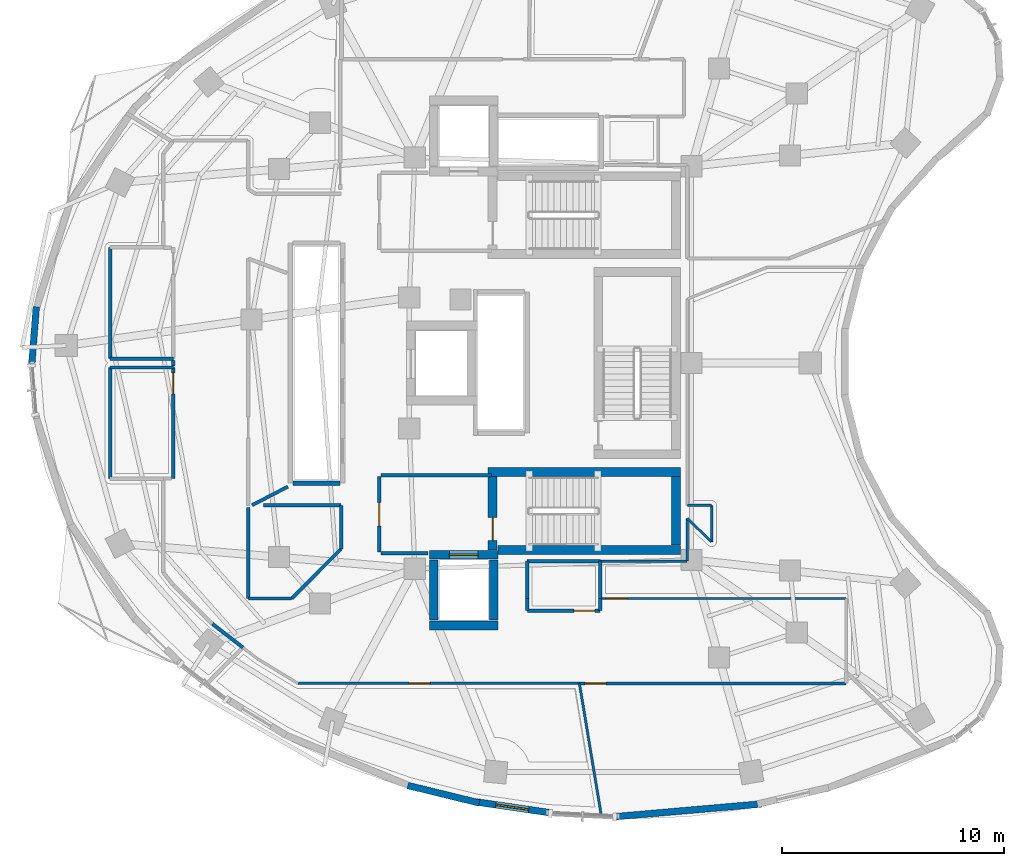
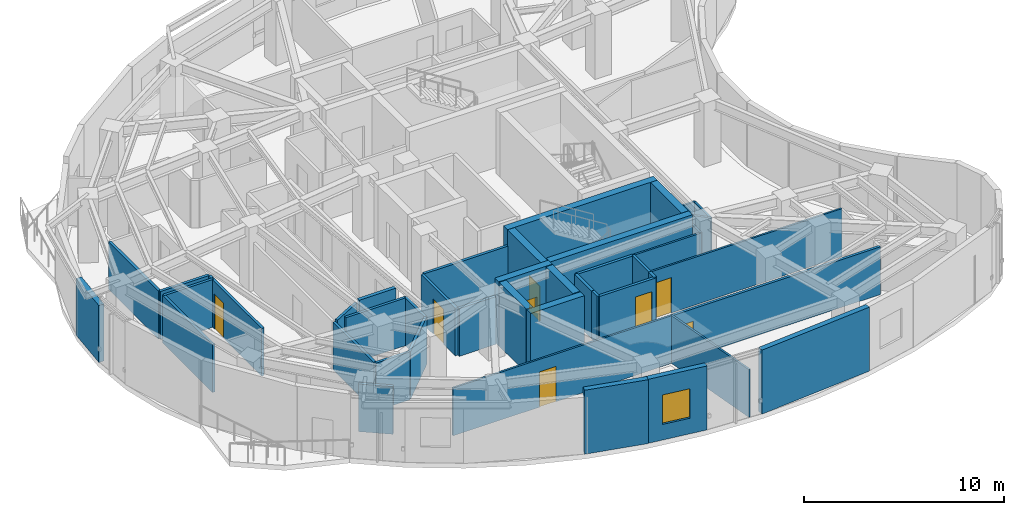
# One storey, part 7 of 13: 44 walls, 8 doors, 1 window, 9 openings.
"""IFC4 building model written with IfcOpenShell, lengths in metres."""

from ifc_helpers import new_model, si_unit, direction, frame, frame_2d, origin, place, context, subcontext, project, spatial, rectangle, extrude, material, layer, layer_set, type_object, element, fill, save


model = new_model("IFC4")

# Units and contexts
model_context = context("Model", 3, precision=1e-05, world=origin(), true_north=direction((0.0, 1.0)))
body_context = subcontext(model_context, "Body", "Model", "MODEL_VIEW")
ifc_project = project(units=[si_unit("LENGTHUNIT", "METRE"), si_unit("AREAUNIT", "SQUARE_METRE"), si_unit("VOLUMEUNIT", "CUBIC_METRE"), si_unit("PLANEANGLEUNIT", "RADIAN"), si_unit("MASSUNIT", "GRAM", prefix="KILO")], contexts=[model_context])

# Site, building, storey
site_placement = place(None, origin())
site = spatial("IfcSite", under=ifc_project, at=site_placement, CompositionType="ELEMENT")
building_placement = place(site_placement, origin())
building = spatial("IfcBuilding", under=site, at=building_placement, Name="Korentha Bioscience Tower", CompositionType="ELEMENT")
storey_placement = place(building_placement, frame((0.0, 0.0, 183.60009765625)))
storey = spatial("IfcBuildingStorey", under=building, at=storey_placement, Name="L42", CompositionType="ELEMENT", Elevation=183.60009765625)

# Wall, opening, door
ifc_material_1 = material(Name="Double-Stud Acoustic Gypsum", Category="gypsum")
ifc_layer_1 = layer(ifc_material_1, 0.14990234375, Name="Double-Stud Acoustic Gypsum")
ifc_layer_set_1 = layer_set([ifc_layer_1], Name="Double-Stud Acoustic Gypsum (IW-L150)")
wall_type_1 = type_object("IfcWallType", Name="Acoustic Laboratory Partition Wall 150", PredefinedType="PARTITIONING", material=ifc_layer_set_1)
wall_1_placement = place(storey_placement, frame((14.239990234375, 26.800048828125, 0.0), z_axis=(0.0, 0.0, 1.0), x_axis=(0.0, -1.0, 0.0)))
wall_1 = element("IfcWall", 1, at=wall_1_placement, inside=storey, type_object=wall_type_1, Name="L42 Reclaimed Bank-1 Cold Freezer Alcove Entrance Wall", PredefinedType="PARTITIONING", context=body_context, shape_type="SweptSolid", body=[
    extrude(rectangle(XDim=4.989990234375, YDim=0.14990234375, at=frame_2d((2.4951171875, 0.0))), origin(), (0.0, 0.0, 1.0), 2.909912109375),
])
opening_1_placement = place(wall_1_placement, frame((0.239990234375, 0.0, 0.0)))
opening_1 = element("IfcOpeningElement", 2, at=opening_1_placement, cuts=wall_1, Name="Opening ID-10L", PredefinedType="OPENING", context=body_context, shape_type="SweptSolid", body=[
    extrude(rectangle(XDim=0.949951171875, YDim=2.14990234375, at=frame_2d((0.47509765625, 1.074951171875))), frame((0.0, 0.08984375, 0.0), z_axis=(0.0, -1.0, 0.0), x_axis=(1.0, 0.0, 0.0)), (0.0, 0.0, 1.0), 0.1796875),
])
ifc_material_2 = material(Name="Phenolic Laminate Timber Core", Category="wood")
door_type_1 = type_object("IfcDoorType", Name="Laboratory Single Leaf Door 950x2150 Left", OperationType="SINGLE_SWING_LEFT", PredefinedType="DOOR", material=ifc_material_2)
door_1_placement = place(opening_1_placement, origin())
door_1 = element("IfcDoor", 3, at=door_1_placement, inside=storey, type_object=door_type_1, Name="L42 Reclaimed Bank-1 Cold Freezer Alcove Door", OperationType="SINGLE_SWING_LEFT", OverallHeight=2.14990234375, OverallWidth=0.949951171875, PredefinedType="DOOR", context=body_context, shape_type="SweptSolid", body=[
    extrude(rectangle(XDim=0.949951171875, YDim=2.14990234375, at=frame_2d((0.47509765625, 1.074951171875))), frame((0.0, 0.02490234375, 0.0), z_axis=(0.0, -1.0, 0.0), x_axis=(1.0, 0.0, 0.0)), (0.0, 0.0, 1.0), 0.050048828125),
])
fill(opening_1, door_1)

wall_2_placement = place(storey_placement, frame((32.51416015625, 12.590087890625, 0.0), z_axis=(0.0, 0.0, 1.0), x_axis=(1.0, 0.0, 0.0)))
wall_2 = element("IfcWall", 4, at=wall_2_placement, inside=storey, type_object=wall_type_1, Name="L42 Research Colloquium Seminar Room 04 Entrance Wall", PredefinedType="PARTITIONING", context=body_context, shape_type="SweptSolid", body=[
    extrude(rectangle(XDim=11.98583984375, YDim=0.14990234375, at=frame_2d((5.992919921875, 0.0))), origin(), (0.0, 0.0, 1.0), 2.909912109375),
])
opening_2_placement = place(wall_2_placement, frame((0.239990234375, 0.0, 0.0)))
opening_2 = element("IfcOpeningElement", 5, at=opening_2_placement, cuts=wall_2, Name="Opening ID-10R", PredefinedType="OPENING", context=body_context, shape_type="SweptSolid", body=[
    extrude(rectangle(XDim=0.949951171875, YDim=2.14990234375, at=frame_2d((0.47509765625, 1.074951171875))), frame((0.0, 0.08984375, 0.0), z_axis=(0.0, -1.0, 0.0), x_axis=(1.0, 0.0, 0.0)), (0.0, 0.0, 1.0), 0.1796875),
])
door_type_2 = type_object("IfcDoorType", Name="Laboratory Single Leaf Door 950x2150 Right", OperationType="SINGLE_SWING_RIGHT", PredefinedType="DOOR", material=ifc_material_2)
door_2_placement = place(opening_2_placement, origin())
door_2 = element("IfcDoor", 6, at=door_2_placement, inside=storey, type_object=door_type_2, Name="L42 Research Colloquium Seminar Room 04 Door", OperationType="SINGLE_SWING_RIGHT", OverallHeight=2.14990234375, OverallWidth=0.949951171875, PredefinedType="DOOR", context=body_context, shape_type="SweptSolid", body=[
    extrude(rectangle(XDim=0.949951171875, YDim=2.14990234375, at=frame_2d((0.47509765625, 1.074951171875))), frame((0.0, 0.02490234375, 0.0), z_axis=(0.0, -1.0, 0.0), x_axis=(1.0, 0.0, 0.0)), (0.0, 0.0, 1.0), 0.050048828125),
])
fill(opening_2, door_2)

# Walls
wall_3_placement = place(storey_placement, frame((11.39990234375, 21.800048828125, 0.0), z_axis=(0.0, 0.0, 1.0), x_axis=(0.0, 1.0, 0.0)))
element("IfcWall", 7, at=wall_3_placement, inside=storey, type_object=wall_type_1, Name="L42 Interior Partition 023", PredefinedType="PARTITIONING", context=body_context, shape_type="SweptSolid", body=[
    extrude(rectangle(XDim=5.0, YDim=0.14990234375, at=frame_2d((2.5, 0.0))), origin(), (0.0, 0.0, 1.0), 2.909912109375),
])
wall_4_placement = place(storey_placement, frame((11.39990234375, 26.800048828125, 0.0), z_axis=(0.0, 0.0, 1.0), x_axis=(1.0, 0.0, 0.0)))
element("IfcWall", 8, at=wall_4_placement, inside=storey, type_object=wall_type_1, Name="L42 Interior Partition 024", PredefinedType="PARTITIONING", context=body_context, shape_type="SweptSolid", body=[
    extrude(rectangle(XDim=2.840087890625, YDim=0.14990234375, at=frame_2d((1.419921875, 0.0))), origin(), (0.0, 0.0, 1.0), 2.909912109375),
])
wall_5_placement = place(storey_placement, frame((19.3896484375, 21.43994140625, 0.0), z_axis=(0.0, 0.0, 1.0), x_axis=(-0.887870664605, -0.460093124197, 0.0)))
element("IfcWall", 9, at=wall_5_placement, inside=storey, type_object=wall_type_1, Name="L42 Interior Partition 038", PredefinedType="PARTITIONING", context=body_context, shape_type="SweptSolid", body=[
    extrude(rectangle(XDim=1.813232421875, YDim=0.14990234375, at=frame_2d((0.90673828125, 0.0))), origin(), (0.0, 0.0, 1.0), 2.909912109375),
])
wall_6_placement = place(storey_placement, frame((18.286865234375, 20.597900390625, 0.0), z_axis=(0.0, 0.0, 1.0), x_axis=(1.0, 0.0, 0.0)))
element("IfcWall", 10, at=wall_6_placement, inside=storey, type_object=wall_type_1, Name="L42 Interior Partition 039", PredefinedType="PARTITIONING", context=body_context, shape_type="SweptSolid", body=[
    extrude(rectangle(XDim=3.503173828125, YDim=0.14990234375, at=frame_2d((1.75146484375, 0.0))), origin(), (0.0, 0.0, 1.0), 2.909912109375),
])
wall_7_placement = place(storey_placement, frame((21.7900390625, 20.597900390625, 0.0), z_axis=(0.0, 0.0, 1.0), x_axis=(0.0, -1.0, 0.0)))
element("IfcWall", 11, at=wall_7_placement, inside=storey, type_object=wall_type_1, Name="L42 Interior Partition 040", PredefinedType="PARTITIONING", context=body_context, shape_type="SweptSolid", body=[
    extrude(rectangle(XDim=1.95458984375, YDim=0.14990234375, at=frame_2d((0.977294921875, 0.0))), origin(), (0.0, 0.0, 1.0), 2.909912109375),
])
wall_8_placement = place(storey_placement, frame((21.7900390625, 18.643310546875, 0.0), z_axis=(0.0, 0.0, 1.0), x_axis=(-0.705866789687, -0.708344602024, 0.0)))
element("IfcWall", 12, at=wall_8_placement, inside=storey, type_object=wall_type_1, Name="L42 Interior Partition 041", PredefinedType="PARTITIONING", context=body_context, shape_type="SweptSolid", body=[
    extrude(rectangle(XDim=3.153076171875, YDim=0.14990234375, at=frame_2d((1.57666015625, 0.0))), origin(), (0.0, 0.0, 1.0), 2.909912109375),
])
wall_9_placement = place(storey_placement, frame((19.564453125, 16.409912109375, 0.0), z_axis=(0.0, 0.0, 1.0), x_axis=(-1.0, 0.0, 0.0)))
element("IfcWall", 13, at=wall_9_placement, inside=storey, type_object=wall_type_1, Name="L42 Interior Partition 042", PredefinedType="PARTITIONING", context=body_context, shape_type="SweptSolid", body=[
    extrude(rectangle(XDim=1.954345703125, YDim=0.14990234375, at=frame_2d((0.97705078125, 0.0))), origin(), (0.0, 0.0, 1.0), 2.909912109375),
])
wall_10_placement = place(storey_placement, frame((17.610107421875, 16.409912109375, 0.0), z_axis=(0.0, 0.0, 1.0), x_axis=(0.0, 1.0, 0.0)))
element("IfcWall", 14, at=wall_10_placement, inside=storey, type_object=wall_type_1, Name="L42 Interior Partition 043", PredefinedType="PARTITIONING", context=body_context, shape_type="SweptSolid", body=[
    extrude(rectangle(XDim=4.10302734375, YDim=0.14990234375, at=frame_2d((2.051513671875, 0.0))), origin(), (0.0, 0.0, 1.0), 2.909912109375),
])

# Wall, opening, door
ifc_material_3 = material(Name="Fire-Rated Framed Glass", Category="glass")
ifc_layer_2 = layer(ifc_material_3, 0.110107421875, Name="Fire-Rated Framed Glass")
ifc_layer_set_2 = layer_set([ifc_layer_2], Name="Fire-Rated Framed Glass (IW-G110)")
wall_type_2 = type_object("IfcWallType", Name="Demountable Glazed Office Partition 110", PredefinedType="MOVABLE", material=ifc_layer_set_2)
wall_11_placement = place(storey_placement, frame((19.849853515625, 12.590087890625, 0.0), z_axis=(0.0, 0.0, 1.0), x_axis=(1.0, 0.0, 0.0)))
wall_11 = element("IfcWall", 15, at=wall_11_placement, inside=storey, type_object=wall_type_2, Name="L42 Principal Investigator Office 03 Entrance Wall", PredefinedType="MOVABLE", context=body_context, shape_type="SweptSolid", body=[
    extrude(rectangle(XDim=12.654052734375, YDim=0.110107421875, at=frame_2d((6.3271484375, 0.0))), origin(), (0.0, 0.0, 1.0), 2.909912109375),
])
opening_3_placement = place(wall_11_placement, frame((4.994140625, 0.0, 0.0)))
opening_3 = element("IfcOpeningElement", 16, at=opening_3_placement, cuts=wall_11, Name="Opening ID-10L", PredefinedType="OPENING", context=body_context, shape_type="SweptSolid", body=[
    extrude(rectangle(XDim=0.949951171875, YDim=2.14990234375, at=frame_2d((0.47509765625, 1.074951171875))), frame((0.0, 0.06982421875, 0.0), z_axis=(0.0, -1.0, 0.0), x_axis=(1.0, 0.0, 0.0)), (0.0, 0.0, 1.0), 0.139892578125),
])
door_3_placement = place(opening_3_placement, origin())
door_3 = element("IfcDoor", 17, at=door_3_placement, inside=storey, type_object=door_type_1, Name="L42 Principal Investigator Office 03 Door", OperationType="SINGLE_SWING_LEFT", OverallHeight=2.14990234375, OverallWidth=0.949951171875, PredefinedType="DOOR", context=body_context, shape_type="SweptSolid", body=[
    extrude(rectangle(XDim=0.949951171875, YDim=2.14990234375, at=frame_2d((0.47509765625, 1.074951171875))), frame((0.0, 0.02490234375, 0.0), z_axis=(0.0, -1.0, 0.0), x_axis=(1.0, 0.0, 0.0)), (0.0, 0.0, 1.0), 0.050048828125),
])
fill(opening_3, door_3)

wall_12_placement = place(storey_placement, frame((44.5, 16.409912109375, 0.0), z_axis=(0.0, 0.0, 1.0), x_axis=(-1.0, 0.0, 0.0)))
wall_12 = element("IfcWall", 18, at=wall_12_placement, inside=storey, type_object=wall_type_2, Name="L42 Postdoctoral Fellows' Quiet Study 05 Entrance Wall", PredefinedType="MOVABLE", context=body_context, shape_type="SweptSolid", body=[
    extrude(rectangle(XDim=11.0400390625, YDim=0.110107421875, at=frame_2d((5.52001953125, 0.0))), origin(), (0.0, 0.0, 1.0), 2.909912109375),
])
opening_4_placement = place(wall_12_placement, frame((9.85009765625, 0.0, 0.0)))
opening_4 = element("IfcOpeningElement", 19, at=opening_4_placement, cuts=wall_12, Name="Opening ID-10L", PredefinedType="OPENING", context=body_context, shape_type="SweptSolid", body=[
    extrude(rectangle(XDim=0.949951171875, YDim=2.14990234375, at=frame_2d((0.47509765625, 1.074951171875))), frame((0.0, 0.06982421875, 0.0), z_axis=(0.0, -1.0, 0.0), x_axis=(1.0, 0.0, 0.0)), (0.0, 0.0, 1.0), 0.139892578125),
])
door_4_placement = place(opening_4_placement, origin())
door_4 = element("IfcDoor", 20, at=door_4_placement, inside=storey, type_object=door_type_1, Name="L42 Postdoctoral Fellows' Quiet Study 05 Door", OperationType="SINGLE_SWING_LEFT", OverallHeight=2.14990234375, OverallWidth=0.949951171875, PredefinedType="DOOR", context=body_context, shape_type="SweptSolid", body=[
    extrude(rectangle(XDim=0.949951171875, YDim=2.14990234375, at=frame_2d((0.47509765625, 1.074951171875))), frame((0.0, 0.02490234375, 0.0), z_axis=(0.0, -1.0, 0.0), x_axis=(1.0, 0.0, 0.0)), (0.0, 0.0, 1.0), 0.050048828125),
])
fill(opening_4, door_4)

# Walls
wall_13_placement = place(storey_placement, frame((32.50390625, 12.590087890625, 0.0), z_axis=(0.0, 0.0, 1.0), x_axis=(0.163321963264, -0.986572823625, 0.0)))
element("IfcWall", 21, at=wall_13_placement, inside=storey, type_object=wall_type_2, Name="L42 Interior Partition 046", PredefinedType="MOVABLE", context=body_context, shape_type="SweptSolid", body=[
    extrude(rectangle(XDim=6.139404296875, YDim=0.110107421875, at=frame_2d((3.06982421875, 0.0))), origin(), (0.0, 0.0, 1.0), 2.909912109375),
])
wall_14_placement = place(storey_placement, frame((38.451904296875, 18.9609375, 0.0), z_axis=(0.0, 0.0, 1.0), x_axis=(0.0, 1.0, 0.0)))
element("IfcWall", 22, at=wall_14_placement, inside=storey, type_object=wall_type_2, Name="L42 Interior Partition 049", PredefinedType="MOVABLE", context=body_context, shape_type="SweptSolid", body=[
    extrude(rectangle(XDim=1.636962890625, YDim=0.110107421875, at=frame_2d((0.818359375, 0.0))), origin(), (0.0, 0.0, 1.0), 2.909912109375),
])
wall_15_placement = place(storey_placement, frame((38.44775390625, 20.60205078125, 0.0), z_axis=(0.0, 0.0, 1.0), x_axis=(-1.0, 0.0, 0.0)))
element("IfcWall", 23, at=wall_15_placement, inside=storey, type_object=wall_type_2, Name="L42 Interior Partition 050", PredefinedType="MOVABLE", context=body_context, shape_type="SweptSolid", body=[
    extrude(rectangle(XDim=1.087646484375, YDim=0.110107421875, at=frame_2d((0.5439453125, 0.0))), origin(), (0.0, 0.0, 1.0), 2.909912109375),
])
wall_16_placement = place(storey_placement, frame((33.4599609375, 18.090087890625, 0.0), z_axis=(0.0, 0.0, 1.0), x_axis=(1.0, 0.0, 0.0)))
element("IfcWall", 24, at=wall_16_placement, inside=storey, type_object=wall_type_2, Name="L42 Interior Partition 056", PredefinedType="MOVABLE", context=body_context, shape_type="SweptSolid", body=[
    extrude(rectangle(XDim=3.89013671875, YDim=0.110107421875, at=frame_2d((1.945068359375, 0.0))), origin(), (0.0, 0.0, 1.0), 2.909912109375),
])
wall_17_placement = place(storey_placement, frame((37.360107421875, 18.10009765625, 0.0), z_axis=(0.0, 0.0, 1.0), x_axis=(0.0, 1.0, 0.0)))
element("IfcWall", 25, at=wall_17_placement, inside=storey, type_object=wall_type_2, Name="L42 Interior Partition 057", PredefinedType="MOVABLE", context=body_context, shape_type="SweptSolid", body=[
    extrude(rectangle(XDim=1.906005859375, YDim=0.110107421875, at=frame_2d((0.953125, 0.0))), origin(), (0.0, 0.0, 1.0), 2.909912109375),
])
wall_18_placement = place(storey_placement, frame((37.360107421875, 20.006103515625, 0.0), z_axis=(0.0, 0.0, 1.0), x_axis=(0.719298285006, -0.694701358274, 0.0)))
element("IfcWall", 26, at=wall_18_placement, inside=storey, type_object=wall_type_2, Name="L42 Interior Partition 058", PredefinedType="MOVABLE", context=body_context, shape_type="SweptSolid", body=[
    extrude(rectangle(XDim=1.5087890625, YDim=0.110107421875, at=frame_2d((0.75439453125, 0.0))), origin(), (0.0, 0.0, 1.0), 2.909912109375),
])

# Wall, opening, door
ifc_material_4 = material(Name="Gypsum-Clad Steel Stud", Category="steel")
ifc_layer_3 = layer(ifc_material_4, 0.159912109375, Name="Gypsum-Clad Steel Stud")
ifc_layer_set_3 = layer_set([ifc_layer_3], Name="Gypsum-Clad Steel Stud (IW-C160)")
wall_type_3 = type_object("IfcWallType", Name="Fire-Rated Corridor Partition Wall 160", PredefinedType="PARTITIONING", material=ifc_layer_set_3)
wall_19_placement = place(storey_placement, frame((23.5, 18.5, 0.0), z_axis=(0.0, 0.0, 1.0), x_axis=(0.0, 1.0, 0.0)))
wall_19 = element("IfcWall", 27, at=wall_19_placement, inside=storey, type_object=wall_type_3, Name="L42 FFLS-CW Rated Enclosure Wall", PredefinedType="PARTITIONING", context=body_context, shape_type="SweptSolid", body=[
    extrude(rectangle(XDim=3.39990234375, YDim=0.159912109375, at=frame_2d((1.699951171875, 0.0))), origin(), (0.0, 0.0, 1.0), 2.909912109375),
])
opening_5_placement = place(wall_19_placement, frame((1.175048828125, 0.0, 0.0)))
opening_5 = element("IfcOpeningElement", 28, at=opening_5_placement, cuts=wall_19, Name="Opening FD-90L", PredefinedType="OPENING", context=body_context, shape_type="SweptSolid", body=[
    extrude(rectangle(XDim=1.050048828125, YDim=2.14990234375, at=frame_2d((0.52490234375, 1.074951171875))), frame((0.0, 0.0947265625, 0.0), z_axis=(0.0, -1.0, 0.0), x_axis=(1.0, 0.0, 0.0)), (0.0, 0.0, 1.0), 0.189697265625),
])
ifc_material_5 = material(Name="Powder-Coated Fire-Rated Steel", Category="steel")
door_type_3 = type_object("IfcDoorType", Name="Stairwell Fire Exit Door 1050x2150 Left", OperationType="SINGLE_SWING_LEFT", PredefinedType="DOOR", material=ifc_material_5)
door_5_placement = place(opening_5_placement, origin())
door_5 = element("IfcDoor", 29, at=door_5_placement, inside=storey, type_object=door_type_3, Name="L42 South Firefighting Lobby Door", OperationType="SINGLE_SWING_LEFT", OverallHeight=2.14990234375, OverallWidth=1.050048828125, PredefinedType="DOOR", context=body_context, shape_type="SweptSolid", body=[
    extrude(rectangle(XDim=1.050048828125, YDim=2.14990234375, at=frame_2d((0.52490234375, 1.074951171875))), frame((0.0, 0.02490234375, 0.0), z_axis=(0.0, -1.0, 0.0), x_axis=(1.0, 0.0, 0.0)), (0.0, 0.0, 1.0), 0.050048828125),
])
fill(opening_5, door_5)

# Walls
wall_20_placement = place(storey_placement, frame((23.580078125, 21.949951171875, 0.0), z_axis=(0.0, 0.0, 1.0), x_axis=(1.0, 0.0, 0.0)))
element("IfcWall", 30, at=wall_20_placement, inside=storey, type_object=wall_type_3, Name="L42 Firefighting Lobby Return Wall FFLS-N", PredefinedType="PARTITIONING", context=body_context, shape_type="SweptSolid", body=[
    extrude(rectangle(XDim=4.969970703125, YDim=0.159912109375, at=frame_2d((2.48486328125, 0.0))), origin(), (0.0, 0.0, 1.0), 2.909912109375),
])
wall_21_placement = place(storey_placement, frame((23.580078125, 18.449951171875, 0.0), z_axis=(0.0, 0.0, 1.0), x_axis=(1.0, 0.0, 0.0)))
element("IfcWall", 31, at=wall_21_placement, inside=storey, type_object=wall_type_3, Name="L42 Firefighting Lobby Return Wall FFLS-S", PredefinedType="PARTITIONING", context=body_context, shape_type="SweptSolid", body=[
    extrude(rectangle(XDim=2.119873046875, YDim=0.159912109375, at=frame_2d((1.06005859375, 0.0))), origin(), (0.0, 0.0, 1.0), 2.909912109375),
])

# Wall, opening, door
wall_22_placement = place(storey_placement, frame((33.43994140625, 15.860107421875, 0.0), z_axis=(0.0, 0.0, 1.0), x_axis=(-1.0, 0.0, 0.0)))
wall_22 = element("IfcWall", 32, at=wall_22_placement, inside=storey, type_object=wall_type_3, Name="L42 Core Instrumentation and Gas Store Entrance Wall", PredefinedType="PARTITIONING", context=body_context, shape_type="SweptSolid", body=[
    extrude(rectangle(XDim=3.280029296875, YDim=0.159912109375, at=frame_2d((1.64013671875, 0.0))), origin(), (0.0, 0.0, 1.0), 2.909912109375),
])
opening_6_placement = place(wall_22_placement, frame((0.239990234375, 0.0, 0.0)))
opening_6 = element("IfcOpeningElement", 33, at=opening_6_placement, cuts=wall_22, Name="Opening ID-10L", PredefinedType="OPENING", context=body_context, shape_type="SweptSolid", body=[
    extrude(rectangle(XDim=0.949951171875, YDim=2.14990234375, at=frame_2d((0.47509765625, 1.074951171875))), frame((0.0, 0.0947265625, 0.0), z_axis=(0.0, -1.0, 0.0), x_axis=(1.0, 0.0, 0.0)), (0.0, 0.0, 1.0), 0.189697265625),
])
door_6_placement = place(opening_6_placement, origin())
door_6 = element("IfcDoor", 34, at=door_6_placement, inside=storey, type_object=door_type_1, Name="L42 Core Instrumentation and Gas Store Door", OperationType="SINGLE_SWING_LEFT", OverallHeight=2.14990234375, OverallWidth=0.949951171875, PredefinedType="DOOR", context=body_context, shape_type="SweptSolid", body=[
    extrude(rectangle(XDim=0.949951171875, YDim=2.14990234375, at=frame_2d((0.47509765625, 1.074951171875))), frame((0.0, 0.02490234375, 0.0), z_axis=(0.0, -1.0, 0.0), x_axis=(1.0, 0.0, 0.0)), (0.0, 0.0, 1.0), 0.050048828125),
])
fill(opening_6, door_6)

# Walls
for number, where, z_axis, x_axis, name in (
    (35, (33.43994140625, 16.39990234375, 0.0), (0.0, 0.0, 1.0), (0.0, -1.0, 0.0), "L42 Interior Partition 014"),
    (36, (30.159912109375, 15.860107421875, 0.0), (0.0, 0.0, 1.0), (0.0, 1.0, 0.0), "L42 Interior Partition 015"),
):
    element("IfcWall", number, at=place(storey_placement, frame(where, z_axis=z_axis, x_axis=x_axis)), inside=storey, type_object=wall_type_3, Name=name, PredefinedType="PARTITIONING", context=body_context, shape_type="SweptSolid", body=[
        extrude(rectangle(XDim=0.539794921875, YDim=0.159912109375, at=frame_2d((0.27001953125, 0.0))), origin(), (0.0, 0.0, 1.0), 2.909912109375),
    ])
wall_23_placement = place(storey_placement, frame((30.14990234375, 16.409912109375, 0.0), z_axis=(0.0, 0.0, 1.0), x_axis=(0.0, 1.0, 0.0)))
element("IfcWall", 37, at=wall_23_placement, inside=storey, type_object=wall_type_3, Name="L42 Interior Partition 016", PredefinedType="PARTITIONING", context=body_context, shape_type="SweptSolid", body=[
    extrude(rectangle(XDim=1.68017578125, YDim=0.159912109375, at=frame_2d((0.840087890625, 0.0))), origin(), (0.0, 0.0, 1.0), 2.909912109375),
])
wall_24_placement = place(storey_placement, frame((30.14990234375, 18.090087890625, 0.0), z_axis=(0.0, 0.0, 1.0), x_axis=(1.0, 0.0, 0.0)))
element("IfcWall", 38, at=wall_24_placement, inside=storey, type_object=wall_type_3, Name="L42 Interior Partition 017", PredefinedType="PARTITIONING", context=body_context, shape_type="SweptSolid", body=[
    extrude(rectangle(XDim=3.300048828125, YDim=0.159912109375, at=frame_2d((1.64990234375, 0.0))), origin(), (0.0, 0.0, 1.0), 2.909912109375),
])
wall_25_placement = place(storey_placement, frame((33.449951171875, 18.090087890625, 0.0), z_axis=(0.0, 0.0, 1.0), x_axis=(0.0, -1.0, 0.0)))
element("IfcWall", 39, at=wall_25_placement, inside=storey, type_object=wall_type_3, Name="L42 Interior Partition 018", PredefinedType="PARTITIONING", context=body_context, shape_type="SweptSolid", body=[
    extrude(rectangle(XDim=1.68017578125, YDim=0.159912109375, at=frame_2d((0.840087890625, 0.0))), origin(), (0.0, 0.0, 1.0), 2.909912109375),
])
wall_26_placement = place(storey_placement, frame((14.239990234375, 27.199951171875, 0.0), z_axis=(0.0, 0.0, 1.0), x_axis=(-1.0, 0.0, 0.0)))
element("IfcWall", 40, at=wall_26_placement, inside=storey, type_object=wall_type_3, Name="L42 Interior Partition 026", PredefinedType="PARTITIONING", context=body_context, shape_type="SweptSolid", body=[
    extrude(rectangle(XDim=2.840087890625, YDim=0.159912109375, at=frame_2d((1.419921875, 0.0))), origin(), (0.0, 0.0, 1.0), 2.909912109375),
])
wall_27_placement = place(storey_placement, frame((11.39990234375, 27.199951171875, 0.0), z_axis=(0.0, 0.0, 1.0), x_axis=(0.0, 1.0, 0.0)))
element("IfcWall", 41, at=wall_27_placement, inside=storey, type_object=wall_type_3, Name="L42 Interior Partition 027", PredefinedType="PARTITIONING", context=body_context, shape_type="SweptSolid", body=[
    extrude(rectangle(XDim=5.0, YDim=0.159912109375, at=frame_2d((2.5, 0.0))), origin(), (0.0, 0.0, 1.0), 2.909912109375),
])
wall_28_placement = place(storey_placement, frame((14.239990234375, 27.116943359375, 0.0), z_axis=(0.0, 0.0, 1.0), x_axis=(0.0, -1.0, 0.0)))
element("IfcWall", 42, at=wall_28_placement, inside=storey, type_object=wall_type_3, Name="L42 Interior Partition 031", PredefinedType="PARTITIONING", context=body_context, shape_type="SweptSolid", body=[
    extrude(rectangle(XDim=0.239013671875, YDim=0.159912109375, at=frame_2d((0.11962890625, 0.0))), origin(), (0.0, 0.0, 1.0), 2.909912109375),
])
wall_29_placement = place(storey_placement, frame((15.99462890625, 15.27099609375, 0.0), z_axis=(0.0, 0.0, 1.0), x_axis=(0.790583329936, -0.612354471224, 0.0)))
element("IfcWall", 43, at=wall_29_placement, inside=storey, type_object=wall_type_3, Name="L42 Interior Partition 035", PredefinedType="PARTITIONING", context=body_context, shape_type="SweptSolid", body=[
    extrude(rectangle(XDim=1.73828125, YDim=0.159912109375, at=frame_2d((0.869140625, 0.0))), origin(), (0.0, 0.0, 1.0), 2.909912109375),
])

# Wall, opening, window
ifc_material_6 = material(Name="Honed Limestone Precast Concrete C40", Category="masonry")
ifc_layer_4 = layer(ifc_material_6, 0.300048828125, Name="Honed Limestone Precast Concrete C40")
ifc_layer_set_4 = layer_set([ifc_layer_4], Name="Honed Limestone Precast Concrete C40 (EW-ST300)")
wall_type_4 = type_object("IfcWallType", Name="Honed Limestone Cavity Spandrel Wall 300", PredefinedType="STANDARD", material=ifc_layer_set_4)
wall_30_placement = place(storey_placement, frame((27.84912109375, 7.264404296875, 0.0), z_axis=(0.0, 0.0, 1.0), x_axis=(0.989453322953, -0.144852068321, 0.0)))
wall_30 = element("IfcWall", 44, at=wall_30_placement, inside=storey, type_object=wall_type_4, Name="L42 Honed Limestone Spandrel Wall 30", PredefinedType="STANDARD", context=body_context, shape_type="SweptSolid", body=[
    extrude(rectangle(XDim=3.306884765625, YDim=0.300048828125, at=frame_2d((1.6533203125, 0.0))), origin(), (0.0, 0.0, 1.0), 3.89990234375),
])
opening_7_placement = place(wall_30_placement, frame((0.9033203125, 0.0, 0.949951171875)))
opening_7 = element("IfcOpeningElement", 45, at=opening_7_placement, cuts=wall_30, Name="Opening WN-02", PredefinedType="OPENING", context=body_context, shape_type="SweptSolid", body=[
    extrude(rectangle(XDim=1.5, YDim=1.800048828125, at=frame_2d((0.75, 0.89990234375))), frame((0.0, 0.1650390625, 0.0), z_axis=(0.0, -1.0, 0.0), x_axis=(1.0, 0.0, 0.0)), (0.0, 0.0, 1.0), 0.329833984375),
])
ifc_material_7 = material(Name="Thermally Broken Aluminium Triple Glazing", Category="aluminium")
window_type = type_object("IfcWindowType", Name="Acoustic Operable Office Window 1500x1800", PartitioningType="DOUBLE_PANEL_VERTICAL", PredefinedType="WINDOW", material=ifc_material_7)
window_placement = place(opening_7_placement, origin())
window = element("IfcWindow", 46, at=window_placement, inside=storey, type_object=window_type, Name="L42 Facade Window 30", OverallHeight=1.800048828125, OverallWidth=1.5, PartitioningType="DOUBLE_PANEL_VERTICAL", PredefinedType="WINDOW", context=body_context, shape_type="SweptSolid", body=[
    extrude(rectangle(XDim=1.5, YDim=1.800048828125, at=frame_2d((0.75, 0.89990234375))), frame((0.0, 0.030029296875, 0.0), z_axis=(0.0, -1.0, 0.0), x_axis=(1.0, 0.0, 0.0)), (0.0, 0.0, 1.0), 0.06005859375),
])
fill(opening_7, window)

# Walls
wall_31_placement = place(storey_placement, frame((8.07470703125, 29.531494140625, 0.0), z_axis=(0.0, 0.0, 1.0), x_axis=(-0.078059201014, -0.99694872543, 0.0)))
element("IfcWall", 47, at=wall_31_placement, inside=storey, type_object=wall_type_4, Name="L42 Limestone Perimeter Closure Wall 18", PredefinedType="STANDARD", context=body_context, shape_type="SweptSolid", body=[
    extrude(rectangle(XDim=2.63037109375, YDim=0.300048828125, at=frame_2d((1.315185546875, 0.0))), origin(), (0.0, 0.0, 1.0), 3.469970703125),
])
wall_32_placement = place(storey_placement, frame((24.782470703125, 8.0009765625, 0.0), z_axis=(0.0, 0.0, 1.0), x_axis=(0.971328615467, -0.237740868963, 0.0)))
element("IfcWall", 48, at=wall_32_placement, inside=storey, type_object=wall_type_4, Name="L42 Limestone Perimeter Closure Wall 29", PredefinedType="STANDARD", context=body_context, shape_type="SweptSolid", body=[
    extrude(rectangle(XDim=3.308837890625, YDim=0.300048828125, at=frame_2d((1.654296875, 0.0))), origin(), (0.0, 0.0, 1.0), 3.89990234375),
])
wall_33_placement = place(storey_placement, frame((34.14892578125, 6.601318359375, 0.0), z_axis=(0.0, 0.0, 1.0), x_axis=(0.996255675021, 0.086455942472, 0.0)))
element("IfcWall", 49, at=wall_33_placement, inside=storey, type_object=wall_type_4, Name="L42 Limestone Perimeter Closure Wall 32", PredefinedType="STANDARD", context=body_context, shape_type="SweptSolid", body=[
    extrude(rectangle(XDim=6.55126953125, YDim=0.300048828125, at=frame_2d((3.275634765625, 0.0))), origin(), (0.0, 0.0, 1.0), 3.89990234375),
])
ifc_material_8 = material(Name="Autoclaved Aerated Concrete Block C25", Category="concrete")
ifc_layer_5 = layer(ifc_material_8, 0.199951171875, Name="Autoclaved Aerated Concrete Block C25")
ifc_layer_set_5 = layer_set([ifc_layer_5], Name="Autoclaved Aerated Concrete Block C25 (IW-S200)")
wall_type_5 = type_object("IfcWallType", Name="Lift and Riser Shaft Enclosure Wall 200", PredefinedType="PARTITIONING", material=ifc_layer_set_5)
wall_34_placement = place(storey_placement, frame((19.6201171875, 21.60009765625, 0.0), z_axis=(0.0, 0.0, 1.0), x_axis=(1.0, 0.0, 0.0)))
element("IfcWall", 50, at=wall_34_placement, inside=storey, type_object=wall_type_5, Name="L42 Lift Bank MID Shaft Wall -Y", PredefinedType="PARTITIONING", context=body_context, shape_type="SweptSolid", body=[
    extrude(rectangle(XDim=2.10986328125, YDim=0.199951171875, at=frame_2d((1.054931640625, 0.0))), origin(), (0.0, 0.0, 1.0), 2.909912109375),
])
ifc_material_9 = material(Name="Concrete C65", Category="concrete")
ifc_layer_6 = layer(ifc_material_9, 0.39990234375, Name="Concrete C65")
ifc_layer_set_6 = layer_set([ifc_layer_6], Name="Concrete C65 (CW-C65)")
wall_type_6 = type_object("IfcWallType", Name="Mid-Rise Core Shear Wall 400", PredefinedType="SHEAR", material=ifc_layer_set_6)
wall_35_placement = place(storey_placement, frame((28.85205078125, 18.60009765625, 0.0), z_axis=(0.0, 0.0, 1.0), x_axis=(1.0, 0.0, 0.0)))
element("IfcWall", 51, at=wall_35_placement, inside=storey, type_object=wall_type_6, Name="L42 Core Shear Wall ST2-S", PredefinedType="SHEAR", context=body_context, shape_type="SweptSolid", body=[
    extrude(rectangle(XDim=8.197998046875, YDim=0.39990234375, at=frame_2d((4.09912109375, 0.0))), origin(), (0.0, 0.0, 1.0), 3.89990234375),
])
wall_36_placement = place(storey_placement, frame((28.39990234375, 22.10009765625, 0.0), z_axis=(0.0, 0.0, 1.0), x_axis=(1.0, 0.0, 0.0)))
element("IfcWall", 52, at=wall_36_placement, inside=storey, type_object=wall_type_6, Name="L42 Core Shear Wall ST2-N", PredefinedType="SHEAR", context=body_context, shape_type="SweptSolid", body=[
    extrude(rectangle(XDim=8.650146484375, YDim=0.39990234375, at=frame_2d((4.3251953125, 0.0))), origin(), (0.0, 0.0, 1.0), 3.89990234375),
])
wall_37_placement = place(storey_placement, frame((36.85009765625, 18.81005859375, 0.0), z_axis=(0.0, 0.0, 1.0), x_axis=(0.0, 1.0, 0.0)))
element("IfcWall", 53, at=wall_37_placement, inside=storey, type_object=wall_type_6, Name="L42 Core Shear Wall ST2-E", PredefinedType="SHEAR", context=body_context, shape_type="SweptSolid", body=[
    extrude(rectangle(XDim=3.079833984375, YDim=0.39990234375, at=frame_2d((1.5400390625, 0.0))), origin(), (0.0, 0.0, 1.0), 3.89990234375),
])

# Wall, opening, door
wall_38_placement = place(storey_placement, frame((28.60009765625, 18.58203125, 0.0), z_axis=(0.0, 0.0, 1.0), x_axis=(0.0, 1.0, 0.0)))
wall_38 = element("IfcWall", 54, at=wall_38_placement, inside=storey, type_object=wall_type_6, Name="L42 Core Shear Wall ST2-W", PredefinedType="SHEAR", context=body_context, shape_type="SweptSolid", body=[
    extrude(rectangle(XDim=3.307861328125, YDim=0.39990234375, at=frame_2d((1.65380859375, 0.0))), origin(), (0.0, 0.0, 1.0), 3.89990234375),
])
opening_8_placement = place(wall_38_placement, frame((0.427978515625, 0.0, 0.0)))
opening_8 = element("IfcOpeningElement", 55, at=opening_8_placement, cuts=wall_38, Name="Opening FD-90L", PredefinedType="OPENING", context=body_context, shape_type="SweptSolid", body=[
    extrude(rectangle(XDim=1.050048828125, YDim=2.14990234375, at=frame_2d((0.52490234375, 1.074951171875))), frame((0.0, 0.21484375, 0.0), z_axis=(0.0, -1.0, 0.0), x_axis=(1.0, 0.0, 0.0)), (0.0, 0.0, 1.0), 0.4296875),
])
door_7_placement = place(opening_8_placement, origin())
door_7 = element("IfcDoor", 56, at=door_7_placement, inside=storey, type_object=door_type_3, Name="L42 ST-2 Fire Exit Stair Door", OperationType="SINGLE_SWING_LEFT", OverallHeight=2.14990234375, OverallWidth=1.050048828125, PredefinedType="DOOR", context=body_context, shape_type="SweptSolid", body=[
    extrude(rectangle(XDim=1.050048828125, YDim=2.14990234375, at=frame_2d((0.52490234375, 1.074951171875))), frame((0.0, 0.02490234375, 0.0), z_axis=(0.0, -1.0, 0.0), x_axis=(1.0, 0.0, 0.0)), (0.0, 0.0, 1.0), 0.050048828125),
])
fill(opening_8, door_7)

# Wall
wall_39_placement = place(storey_placement, frame((25.75, 15.199951171875, 0.0), z_axis=(0.0, 0.0, 1.0), x_axis=(1.0, 0.0, 0.0)))
element("IfcWall", 57, at=wall_39_placement, inside=storey, type_object=wall_type_6, Name="L42 Core Shear Wall FFL1-S", PredefinedType="SHEAR", context=body_context, shape_type="SweptSolid", body=[
    extrude(rectangle(XDim=3.10009765625, YDim=0.39990234375, at=frame_2d((1.550048828125, 0.0))), origin(), (0.0, 0.0, 1.0), 3.89990234375),
])

# Wall, opening, door
wall_40_placement = place(storey_placement, frame((25.75, 18.3798828125, 0.0), z_axis=(0.0, 0.0, 1.0), x_axis=(1.0, 0.0, 0.0)))
wall_40 = element("IfcWall", 58, at=wall_40_placement, inside=storey, type_object=wall_type_6, Name="L42 Core Shear Wall FFL1-N", PredefinedType="SHEAR", context=body_context, shape_type="SweptSolid", body=[
    extrude(rectangle(XDim=3.10009765625, YDim=0.39990234375, at=frame_2d((1.550048828125, 0.0))), origin(), (0.0, 0.0, 1.0), 3.89990234375),
])
opening_9_placement = place(wall_40_placement, frame((0.89990234375, 0.0, 0.0)))
opening_9 = element("IfcOpeningElement", 59, at=opening_9_placement, cuts=wall_40, Name="Opening LD-13", PredefinedType="OPENING", context=body_context, shape_type="SweptSolid", body=[
    extrude(rectangle(XDim=1.300048828125, YDim=2.199951171875, at=frame_2d((0.64990234375, 1.10009765625))), frame((0.0, 0.21484375, 0.0), z_axis=(0.0, -1.0, 0.0), x_axis=(1.0, 0.0, 0.0)), (0.0, 0.0, 1.0), 0.4296875),
])
ifc_material_10 = material(Name="Brushed Stainless Steel 316", Category="steel")
door_type_4 = type_object("IfcDoorType", Name="Service & Firefighting Lift Landing Door 1300x2300", OperationType="DOUBLE_DOOR_SLIDING", PredefinedType="DOOR", material=ifc_material_10)
door_8_placement = place(opening_9_placement, origin())
door_8 = element("IfcDoor", 60, at=door_8_placement, inside=storey, type_object=door_type_4, Name="L42 FFL-1 Sliding Lift Landing Door", OperationType="DOUBLE_DOOR_SLIDING", OverallHeight=2.199951171875, OverallWidth=1.300048828125, PredefinedType="DOOR", context=body_context, shape_type="SweptSolid", body=[
    extrude(rectangle(XDim=1.300048828125, YDim=2.199951171875, at=frame_2d((0.64990234375, 1.10009765625))), frame((0.0, 0.02490234375, 0.0), z_axis=(0.0, -1.0, 0.0), x_axis=(1.0, 0.0, 0.0)), (0.0, 0.0, 1.0), 0.050048828125),
])
fill(opening_9, door_8)

# Walls
for number, where, z_axis, x_axis, name in (
    (61, (25.949951171875, 15.43994140625, 0.0), (0.0, 0.0, 1.0), (0.0, 1.0, 0.0), "L42 Core Shear Wall FFL1-W"),
    (62, (28.64990234375, 15.43994140625, 0.0), (0.0, 0.0, 1.0), (0.0, 1.0, 0.0), "L42 Core Shear Wall FFL1-E"),
):
    element("IfcWall", number, at=place(storey_placement, frame(where, z_axis=z_axis, x_axis=x_axis)), inside=storey, type_object=wall_type_6, Name=name, PredefinedType="SHEAR", context=body_context, shape_type="SweptSolid", body=[
        extrude(rectangle(XDim=2.699951171875, YDim=0.39990234375, at=frame_2d((1.35009765625, 0.0))), origin(), (0.0, 0.0, 1.0), 3.89990234375),
    ])

save(model, "model.ifc")
